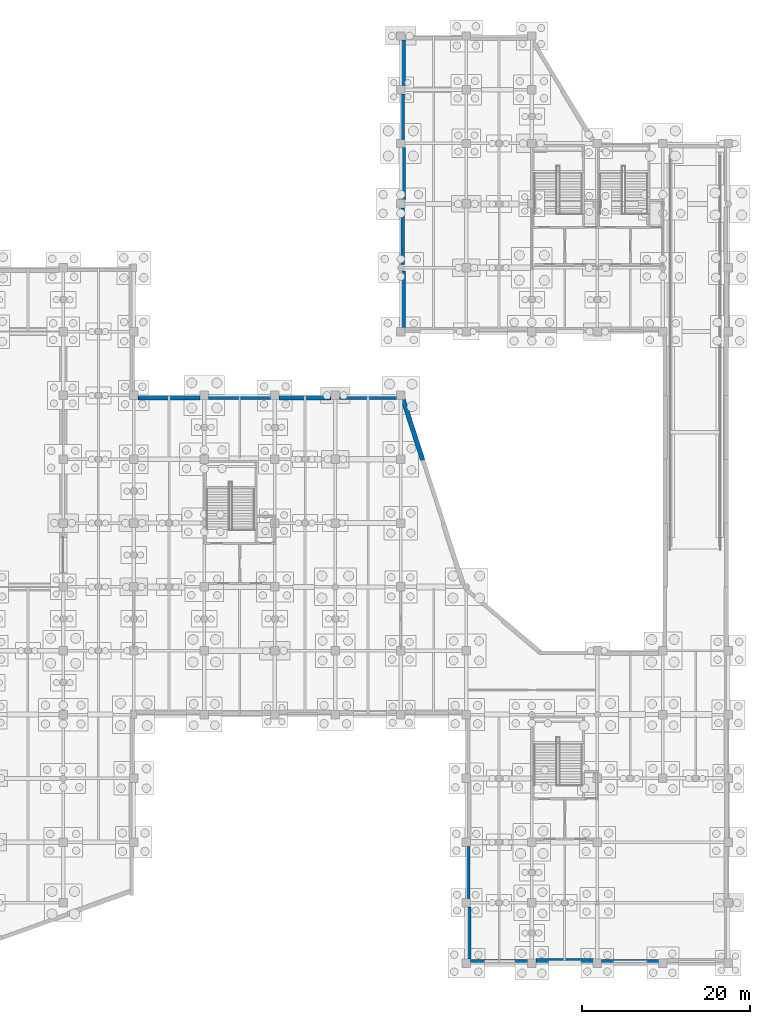
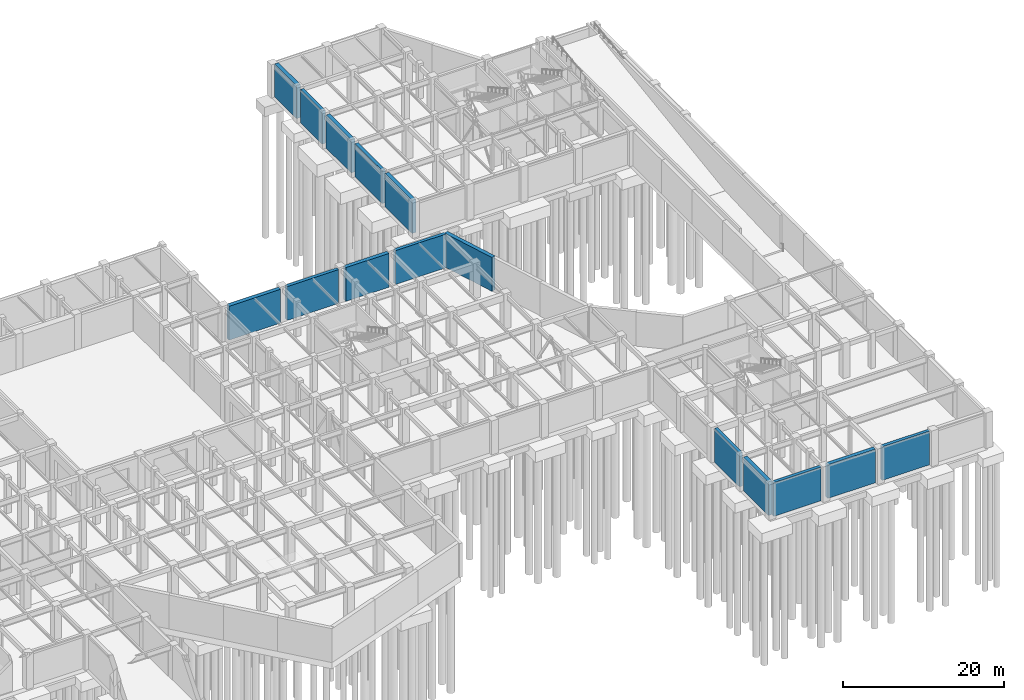
# One storey, part 44 of 52: 15 walls.
"""IFC4 building model written with IfcOpenShell, lengths in metres."""

from ifc_helpers import new_model, si_unit, direction, frame, frame_2d, origin, place, context, subcontext, project, spatial, rectangle, extrude, material, layer, layer_set, type_object, element, save


model = new_model("IFC4")

# Units and contexts
model_context = context("Model", 3, precision=1e-05, world=origin(), true_north=direction((0.0, 1.0)))
body_context = subcontext(model_context, "Body", "Model", "MODEL_VIEW")
ifc_project = project(units=[si_unit("LENGTHUNIT", "METRE"), si_unit("AREAUNIT", "SQUARE_METRE"), si_unit("VOLUMEUNIT", "CUBIC_METRE"), si_unit("PLANEANGLEUNIT", "RADIAN"), si_unit("MASSUNIT", "GRAM", prefix="KILO")], contexts=[model_context])

# Site, building, storey
site_placement = place(None, origin())
site = spatial("IfcSite", under=ifc_project, at=site_placement, CompositionType="ELEMENT")
building_placement = place(site_placement, origin())
building = spatial("IfcBuilding", under=site, at=building_placement, Name="Xicomal Pleat Aquarium", CompositionType="ELEMENT")
storey_placement = place(building_placement, frame((0.0, 0.0, -5.39990234375)))
storey = spatial("IfcBuildingStorey", under=building, at=storey_placement, Name="B1", CompositionType="ELEMENT", Elevation=-5.39990234375)

# Walls
ifc_material_1 = material(Name="Waterproof concrete C40/50", Category="concrete")
ifc_layer_1 = layer(ifc_material_1, 0.4599609375)
ifc_layer_set_1 = layer_set([ifc_layer_1], Name="Waterproof concrete C40/50")
wall_type_1 = type_object("IfcWallType", Name="WAL-RET-460", PredefinedType="USERDEFINED", material=ifc_layer_set_1)
wall_1_placement = place(storey_placement, frame((126.22998046875, 83.9599609375, 0.0), z_axis=(0.0, 0.0, 1.0), x_axis=(0.0, 1.0, 0.0)))
element("IfcWall", 1, at=wall_1_placement, inside=storey, type_object=wall_type_1, Name="Basement waterproof retaining wall RW-B1-015", ObjectType="RETAINING WALL", PredefinedType="USERDEFINED", context=body_context, shape_type="SweptSolid", body=[
    extrude(rectangle(XDim=6.755126953125, YDim=0.4599609375, at=frame_2d((3.37744140625, 0.0))), origin(), (0.0, 0.0, 1.0), 5.0498046875),
])
wall_2_placement = place(storey_placement, frame((126.22998046875, 98.885009765625, 0.0), z_axis=(0.0, 0.0, 1.0), x_axis=(0.0, 1.0, 0.0)))
element("IfcWall", 2, at=wall_2_placement, inside=storey, type_object=wall_type_1, Name="Basement waterproof retaining wall RW-B1-017", ObjectType="RETAINING WALL", PredefinedType="USERDEFINED", context=body_context, shape_type="SweptSolid", body=[
    extrude(rectangle(XDim=5.429931640625, YDim=0.4599609375, at=frame_2d((2.71484375, 0.0))), origin(), (0.0, 0.0, 1.0), 5.0498046875),
])
for number, where, z_axis, x_axis, name in (
    (3, (156.715087890625, 1.030029296875, 0.0), (0.0, 0.0, 1.0), (-1.0, 0.0, 0.0), "Basement waterproof retaining wall RW-B1-039"),
    (4, (141.114990234375, 1.030029296875, 0.0), (0.0, 0.0, 1.0), (-1.0, 0.0, 0.0), "Basement waterproof retaining wall RW-B1-041"),
):
    element("IfcWall", number, at=place(storey_placement, frame(where, z_axis=z_axis, x_axis=x_axis)), inside=storey, type_object=wall_type_1, Name=name, ObjectType="RETAINING WALL", PredefinedType="USERDEFINED", context=body_context, shape_type="SweptSolid", body=[
        extrude(rectangle(XDim=6.830078125, YDim=0.4599609375, at=frame_2d((3.4150390625, 0.0))), origin(), (0.0, 0.0, 1.0), 5.119873046875),
    ])
wall_3_placement = place(storey_placement, frame((134.030029296875, 8.485107421875, 0.0), z_axis=(0.0, 0.0, 1.0), x_axis=(0.0, 1.0, 0.0)))
element("IfcWall", 5, at=wall_3_placement, inside=storey, type_object=wall_type_1, Name="Basement waterproof retaining wall RW-B1-043", ObjectType="RETAINING WALL", PredefinedType="USERDEFINED", context=body_context, shape_type="SweptSolid", body=[
    extrude(rectangle(XDim=6.22998046875, YDim=0.4599609375, at=frame_2d((3.114990234375, 0.0))), origin(), (0.0, 0.0, 1.0), 5.119873046875),
])
wall_4_placement = place(storey_placement, frame((103.0849609375, 68.169921875, 0.0), z_axis=(0.0, 0.0, 1.0), x_axis=(1.0, 0.0, 0.0)))
element("IfcWall", 6, at=wall_4_placement, inside=storey, type_object=wall_type_1, Name="Basement waterproof retaining wall RW-B1-119", ObjectType="RETAINING WALL", PredefinedType="USERDEFINED", context=body_context, shape_type="SweptSolid", body=[
    extrude(rectangle(XDim=7.429931640625, YDim=0.4599609375, at=frame_2d((3.71484375, 0.0))), origin(), (0.0, 0.0, 1.0), 5.139892578125),
])
wall_5_placement = place(storey_placement, frame((118.68505859375, 68.169921875, 0.0), z_axis=(0.0, 0.0, 1.0), x_axis=(1.0, 0.0, 0.0)))
element("IfcWall", 7, at=wall_5_placement, inside=storey, type_object=wall_type_1, Name="Basement waterproof retaining wall RW-B1-121", ObjectType="RETAINING WALL", PredefinedType="USERDEFINED", context=body_context, shape_type="SweptSolid", body=[
    extrude(rectangle(XDim=7.22998046875, YDim=0.4599609375, at=frame_2d((3.614990234375, 0.0))), origin(), (0.0, 0.0, 1.0), 5.139892578125),
])
ifc_material_2 = material(Name="Waterproof concrete C40/50", Category="concrete")
ifc_layer_2 = layer(ifc_material_2, 0.550048828125)
ifc_layer_set_2 = layer_set([ifc_layer_2], Name="Waterproof concrete C40/50")
wall_type_2 = type_object("IfcWallType", Name="WAL-RET-550", PredefinedType="USERDEFINED", material=ifc_layer_set_2)
wall_6_placement = place(storey_placement, frame((126.27490234375, 76.485107421875, 0.0), z_axis=(0.0, 0.0, 1.0), x_axis=(0.0, 1.0, 0.0)))
element("IfcWall", 8, at=wall_6_placement, inside=storey, type_object=wall_type_2, Name="Basement waterproof retaining wall RW-B1-014", ObjectType="RETAINING WALL", PredefinedType="USERDEFINED", context=body_context, shape_type="SweptSolid", body=[
    extrude(rectangle(XDim=6.7548828125, YDim=0.550048828125, at=frame_2d((3.37744140625, 0.0))), origin(), (0.0, 0.0, 1.0), 5.0498046875),
])
wall_7_placement = place(storey_placement, frame((126.27490234375, 91.68505859375, 0.0), z_axis=(0.0, 0.0, 1.0), x_axis=(0.0, 1.0, 0.0)))
element("IfcWall", 9, at=wall_7_placement, inside=storey, type_object=wall_type_2, Name="Basement waterproof retaining wall RW-B1-016", ObjectType="RETAINING WALL", PredefinedType="USERDEFINED", context=body_context, shape_type="SweptSolid", body=[
    extrude(rectangle(XDim=6.22998046875, YDim=0.550048828125, at=frame_2d((3.114990234375, 0.0))), origin(), (0.0, 0.0, 1.0), 5.0498046875),
])
wall_8_placement = place(storey_placement, frame((126.27490234375, 105.284912109375, 0.0), z_axis=(0.0, 0.0, 1.0), x_axis=(0.0, 1.0, 0.0)))
element("IfcWall", 10, at=wall_8_placement, inside=storey, type_object=wall_type_2, Name="Basement waterproof retaining wall RW-B1-018", ObjectType="RETAINING WALL", PredefinedType="USERDEFINED", context=body_context, shape_type="SweptSolid", body=[
    extrude(rectangle(XDim=5.43017578125, YDim=0.550048828125, at=frame_2d((2.715087890625, 0.0))), origin(), (0.0, 0.0, 1.0), 5.0498046875),
])
wall_9_placement = place(storey_placement, frame((148.9150390625, 1.074951171875, 0.0), z_axis=(0.0, 0.0, 1.0), x_axis=(-1.0, 0.0, 0.0)))
element("IfcWall", 11, at=wall_9_placement, inside=storey, type_object=wall_type_2, Name="Basement waterproof retaining wall RW-B1-040", ObjectType="RETAINING WALL", PredefinedType="USERDEFINED", context=body_context, shape_type="SweptSolid", body=[
    extrude(rectangle(XDim=6.830078125, YDim=0.550048828125, at=frame_2d((3.4150390625, 0.0))), origin(), (0.0, 0.0, 1.0), 5.119873046875),
])
wall_10_placement = place(storey_placement, frame((134.074951171875, 1.284912109375, 0.0), z_axis=(0.0, 0.0, 1.0), x_axis=(0.0, 1.0, 0.0)))
element("IfcWall", 12, at=wall_10_placement, inside=storey, type_object=wall_type_2, Name="Basement waterproof retaining wall RW-B1-042", ObjectType="RETAINING WALL", PredefinedType="USERDEFINED", context=body_context, shape_type="SweptSolid", body=[
    extrude(rectangle(XDim=6.22998046875, YDim=0.550048828125, at=frame_2d((3.114990234375, 0.0))), origin(), (0.0, 0.0, 1.0), 5.119873046875),
])
wall_11_placement = place(storey_placement, frame((94.68505859375, 68.125, 0.0), z_axis=(0.0, 0.0, 1.0), x_axis=(1.0, 0.0, 0.0)))
element("IfcWall", 13, at=wall_11_placement, inside=storey, type_object=wall_type_2, Name="Basement waterproof retaining wall RW-B1-118", ObjectType="RETAINING WALL", PredefinedType="USERDEFINED", context=body_context, shape_type="SweptSolid", body=[
    extrude(rectangle(XDim=7.429931640625, YDim=0.550048828125, at=frame_2d((3.71484375, 0.0))), origin(), (0.0, 0.0, 1.0), 5.139892578125),
])
wall_12_placement = place(storey_placement, frame((111.485107421875, 68.125, 0.0), z_axis=(0.0, 0.0, 1.0), x_axis=(1.0, 0.0, 0.0)))
element("IfcWall", 14, at=wall_12_placement, inside=storey, type_object=wall_type_2, Name="Basement waterproof retaining wall RW-B1-120", ObjectType="RETAINING WALL", PredefinedType="USERDEFINED", context=body_context, shape_type="SweptSolid", body=[
    extrude(rectangle(XDim=6.22998046875, YDim=0.550048828125, at=frame_2d((3.114990234375, 0.0))), origin(), (0.0, 0.0, 1.0), 5.139892578125),
])
wall_13_placement = place(storey_placement, frame((126.137939453125, 68.31494140625, 0.0), z_axis=(0.0, 0.0, 1.0), x_axis=(0.308756496944, -0.951141117603, 0.0)))
element("IfcWall", 15, at=wall_13_placement, inside=storey, type_object=wall_type_2, Name="Basement waterproof retaining wall RW-B1-122", ObjectType="RETAINING WALL", PredefinedType="USERDEFINED", context=body_context, shape_type="SweptSolid", body=[
    extrude(rectangle(XDim=7.990234375, YDim=0.550048828125, at=frame_2d((3.9951171875, 0.0))), origin(), (0.0, 0.0, 1.0), 5.139892578125),
])

save(model, "model.ifc")
